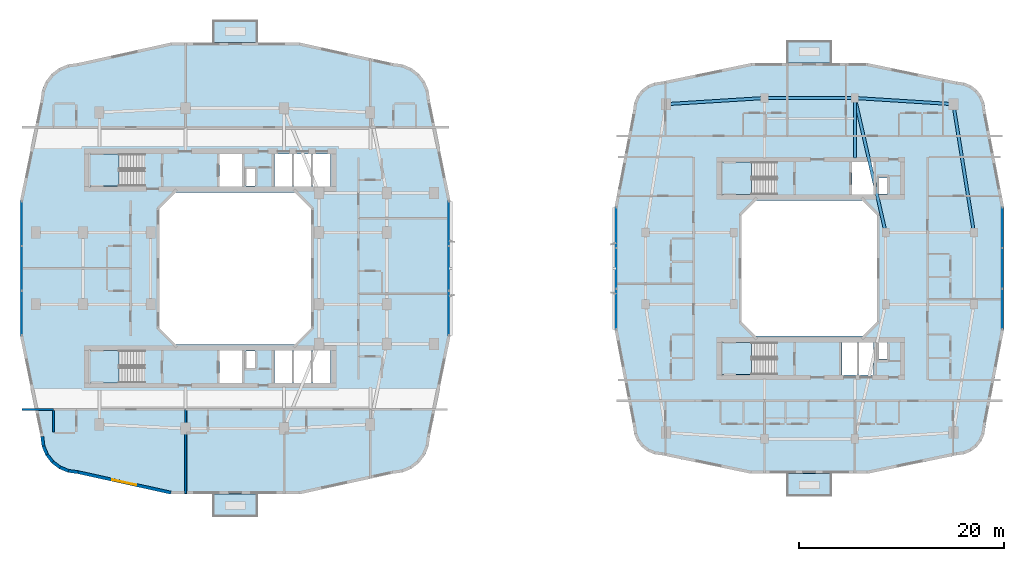
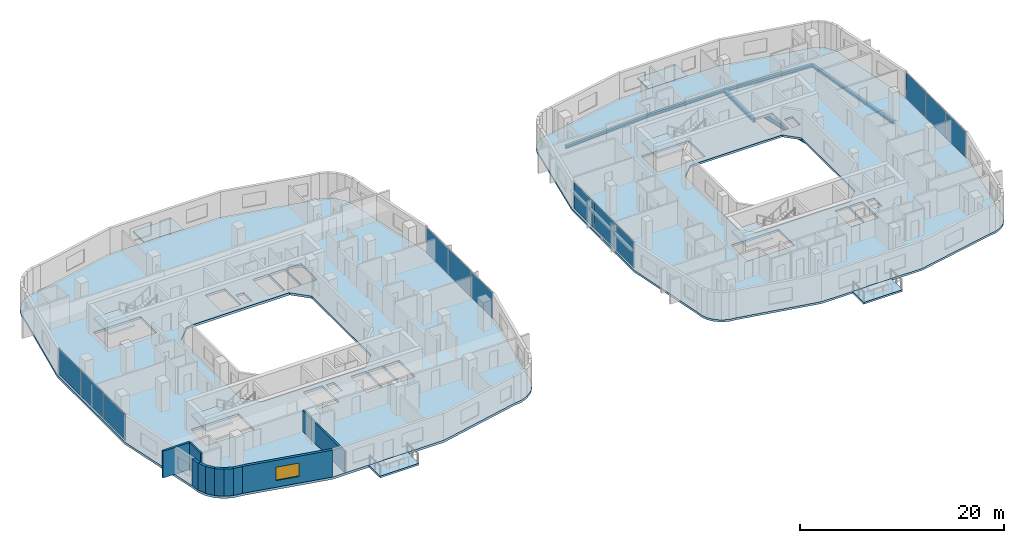
# One storey, part 7 of 22: 12 plates, 10 slabs, 10 walls, 6 beams, 1 window, 1 opening, 8 elements without a shape of their own.
"""IFC4 building model written with IfcOpenShell, lengths in metres."""

from ifc_helpers import new_model, si_unit, derived_unit, direction, frame, frame_2d, origin, origin_2d, place, context, subcontext, project, spatial, polyline, rectangle, i_section, outline, extrude, material, layer, layer_set, material_profile, profile_set, type_object, element, fill, aggregate, save


model = new_model("IFC4")

# Units and contexts
model_context = context("Model", 3, precision=1e-05, world=origin(), true_north=direction((0.0, 1.0)))
body_context = subcontext(model_context, "Body", "Model", "MODEL_VIEW")
ifc_project = project(units=[si_unit("LENGTHUNIT", "METRE"), si_unit("AREAUNIT", "SQUARE_METRE"), si_unit("VOLUMEUNIT", "CUBIC_METRE"), si_unit("PLANEANGLEUNIT", "RADIAN"), si_unit("MASSUNIT", "GRAM", prefix="KILO"), derived_unit("THERMALTRANSMITTANCEUNIT", [(si_unit("POWERUNIT", "WATT"), 1), (si_unit("LENGTHUNIT", "METRE"), -2), (si_unit("THERMODYNAMICTEMPERATUREUNIT", "KELVIN"), -1)])], contexts=[model_context])

# Site, building, storey
site_placement = place(None, origin())
site = spatial("IfcSite", under=ifc_project, at=site_placement, CompositionType="ELEMENT")
building_placement = place(site_placement, origin())
building = spatial("IfcBuilding", under=site, at=building_placement, Name="Kivonza Crest Hotel", CompositionType="ELEMENT")
storey_placement = place(building_placement, frame((0.0, 0.0, 59.0)))
storey = spatial("IfcBuildingStorey", under=building, at=storey_placement, Name="L15", CompositionType="ELEMENT", Elevation=59.0)

# Beams
ifc_material_1 = material(Name="Steel S355", Category="steel")
ifc_material_profile_1 = material_profile(ifc_material_1, i_section(OverallWidth=0.300048828125, OverallDepth=0.360107421875, WebThickness=0.012451171875, FlangeThickness=0.0224609375, FilletRadius=0.027099609375, at=origin_2d()), Name="HEB 360")
ifc_profile_set_1 = profile_set([ifc_material_profile_1], Name="Steel S355")
beam_type_1 = type_object("IfcBeamType", Name="BM-HEB360", PredefinedType="SPANDREL", material=ifc_profile_set_1)
beam_1_placement = place(storey_placement, frame((93.0, 28.5, -0.429931640625), z_axis=(-0.157990501107, 0.987440631917, 0.0), x_axis=(-0.987440631917, -0.157990501107, 0.0)))
element("IfcBeam", 1, at=beam_1_placement, inside=storey, type_object=beam_type_1, Name="Companion Tower T2 L15 perimeter spandrel E2-NE", PredefinedType="SPANDREL", context=body_context, shape_type="SweptSolid", body=[
    extrude(i_section(OverallWidth=0.300048828125, OverallDepth=0.360107421875, WebThickness=0.012451171875, FlangeThickness=0.0224609375, FilletRadius=0.027099609375, at=origin_2d()), origin(), (0.0, 0.0, 1.0), 12.658935546875),
])
beam_2_placement = place(storey_placement, frame((91.0, 41.0, -0.429931640625), z_axis=(-0.998051985873, 0.062387767186, 0.0), x_axis=(-0.062387767186, -0.998051985873, 0.0)))
element("IfcBeam", 2, at=beam_2_placement, inside=storey, type_object=beam_type_1, Name="Companion Tower T2 L15 perimeter spandrel NE-N2", PredefinedType="SPANDREL", context=body_context, shape_type="SweptSolid", body=[
    extrude(i_section(OverallWidth=0.300048828125, OverallDepth=0.360107421875, WebThickness=0.012451171875, FlangeThickness=0.0224609375, FilletRadius=0.027099609375, at=origin_2d()), origin(), (0.0, 0.0, 1.0), 9.618896484375),
])
beam_3_placement = place(storey_placement, frame((81.39990234375, 41.60009765625, -0.429931640625), z_axis=(-1.0, 0.0, 0.0), x_axis=(0.0, -1.0, 0.0)))
element("IfcBeam", 3, at=beam_3_placement, inside=storey, type_object=beam_type_1, Name="Companion Tower T2 L15 perimeter spandrel N2-N1", PredefinedType="SPANDREL", context=body_context, shape_type="SweptSolid", body=[
    extrude(i_section(OverallWidth=0.300048828125, OverallDepth=0.360107421875, WebThickness=0.012451171875, FlangeThickness=0.0224609375, FilletRadius=0.027099609375, at=origin_2d()), origin(), (0.0, 0.0, 1.0), 8.7998046875),
])
beam_4_placement = place(storey_placement, frame((72.60009765625, 41.60009765625, -0.429931640625), z_axis=(-0.998051985873, -0.062387767186, 0.0), x_axis=(0.062387767186, -0.998051985873, 0.0)))
element("IfcBeam", 4, at=beam_4_placement, inside=storey, type_object=beam_type_1, Name="Companion Tower T2 L15 perimeter spandrel N1-NW", PredefinedType="SPANDREL", context=body_context, shape_type="SweptSolid", body=[
    extrude(i_section(OverallWidth=0.300048828125, OverallDepth=0.360107421875, WebThickness=0.012451171875, FlangeThickness=0.0224609375, FilletRadius=0.027099609375, at=origin_2d()), origin(), (0.0, 0.0, 1.0), 9.618896484375),
])
ifc_material_profile_2 = material_profile(ifc_material_1, i_section(OverallWidth=0.300048828125, OverallDepth=0.5, WebThickness=0.014404296875, FlangeThickness=0.028076171875, FilletRadius=0.027099609375, at=origin_2d()), Name="HEB 500")
ifc_profile_set_2 = profile_set([ifc_material_profile_2], Name="Steel S355")
beam_type_2 = type_object("IfcBeamType", Name="BM-HEB500", PredefinedType="BEAM", material=ifc_profile_set_2)
beam_5_placement = place(storey_placement, frame((84.39990234375, 28.5, -0.5), z_axis=(-0.223227287589, 0.974766422317, 0.0), x_axis=(-0.974766422317, -0.223227287589, 0.0)))
element("IfcBeam", 5, at=beam_5_placement, inside=storey, type_object=beam_type_2, Name="Companion Tower T2 L15 girder WR2-N2", PredefinedType="BEAM", context=body_context, shape_type="SweptSolid", body=[
    extrude(i_section(OverallWidth=0.300048828125, OverallDepth=0.5, WebThickness=0.014404296875, FlangeThickness=0.028076171875, FilletRadius=0.027099609375, at=origin_2d()), origin(), (0.0, 0.0, 1.0), 13.439208984375),
])
beam_6_placement = place(storey_placement, frame((81.39990234375, 41.60009765625, -0.5), z_axis=(0.0, -1.0, 0.0), x_axis=(1.0, 0.0, 0.0)))
element("IfcBeam", 6, at=beam_6_placement, inside=storey, type_object=beam_type_2, Name="Companion T2 L15 radial core girder RN2", PredefinedType="BEAM", context=body_context, shape_type="SweptSolid", body=[
    extrude(i_section(OverallWidth=0.300048828125, OverallDepth=0.5, WebThickness=0.014404296875, FlangeThickness=0.028076171875, FilletRadius=0.027099609375, at=origin_2d()), origin(), (0.0, 0.0, 1.0), 5.85009765625),
])

# Curtain wall, plates
ifc_material_2 = material(Name="Anodised bronze aluminium and low-E double glazing", Category="aluminium")
ifc_layer_1 = layer(ifc_material_2, 0.179931640625)
ifc_layer_set_1 = layer_set([ifc_layer_1], Name="Anodised bronze aluminium and low-E double glazing")
curtain_wall_type_1 = type_object("IfcCurtainWallType", Name="CW-SYS-2", PredefinedType="NOTDEFINED", material=ifc_layer_set_1)
curtain_wall_1_placement = place(storey_placement, origin())
curtain_wall_1 = element("IfcCurtainWall", 7, at=curtain_wall_1_placement, inside=storey, type_object=curtain_wall_type_1, Name="L15 unitised curtain wall CW-T1-L15-17", PredefinedType="NOTDEFINED")
ifc_material_3 = material(Name="Solar-control low-E double glazing", Category="glass")
ifc_layer_2 = layer(ifc_material_3, 0.028076171875)
ifc_layer_set_2 = layer_set([ifc_layer_2], Name="Solar-control low-E double glazing")
plate_type = type_object("IfcPlateType", Name="CW-PNL-28", PredefinedType="CURTAIN_PANEL", material=ifc_layer_set_2)
plate_1_placement = place(storey_placement, frame((41.840087890625, 20.642822265625, 0.06494140625), z_axis=(0.0, 0.0, 1.0), x_axis=(0.0, 1.0, 0.0)))
plate_1 = element("IfcPlate", 8, at=plate_1_placement, type_object=plate_type, Name="CW-2 panel 1.1", PredefinedType="CURTAIN_PANEL", context=body_context, shape_type="SweptSolid", body=[
    extrude(rectangle(XDim=4.27587890625, YDim=0.028076171875, at=origin_2d()), origin(), (0.0, 0.0, 1.0), 3.090087890625),
])
plate_2_placement = place(storey_placement, frame((41.840087890625, 25.0, 0.06494140625), z_axis=(0.0, 0.0, 1.0), x_axis=(0.0, 1.0, 0.0)))
plate_2 = element("IfcPlate", 9, at=plate_2_placement, type_object=plate_type, Name="CW-2 panel 2.1", PredefinedType="CURTAIN_PANEL", context=body_context, shape_type="SweptSolid", body=[
    extrude(rectangle(XDim=4.308349609375, YDim=0.028076171875, at=origin_2d()), origin(), (0.0, 0.0, 1.0), 3.090087890625),
])
plate_3_placement = place(storey_placement, frame((41.840087890625, 29.357177734375, 0.06494140625), z_axis=(0.0, 0.0, 1.0), x_axis=(0.0, 1.0, 0.0)))
plate_3 = element("IfcPlate", 10, at=plate_3_placement, type_object=plate_type, Name="CW-2 panel 3.1", PredefinedType="CURTAIN_PANEL", context=body_context, shape_type="SweptSolid", body=[
    extrude(rectangle(XDim=4.27587890625, YDim=0.028076171875, at=origin_2d()), origin(), (0.0, 0.0, 1.0), 3.090087890625),
])
aggregate(curtain_wall_1, [plate_1, plate_2, plate_3])

curtain_wall_2_placement = place(storey_placement, origin())
curtain_wall_2 = element("IfcCurtainWall", 11, at=curtain_wall_2_placement, inside=storey, type_object=curtain_wall_type_1, Name="L15 unitised curtain wall CW-T1-L15-35", PredefinedType="NOTDEFINED")
plate_4_placement = place(storey_placement, frame((0.239990234375, 29.357177734375, 0.06494140625), z_axis=(0.0, 0.0, 1.0), x_axis=(0.0, -1.0, 0.0)))
plate_4 = element("IfcPlate", 12, at=plate_4_placement, type_object=plate_type, Name="CW-2 panel 1.1", PredefinedType="CURTAIN_PANEL", context=body_context, shape_type="SweptSolid", body=[
    extrude(rectangle(XDim=4.27587890625, YDim=0.028076171875, at=origin_2d()), origin(), (0.0, 0.0, 1.0), 3.090087890625),
])
plate_5_placement = place(storey_placement, frame((0.239990234375, 25.0, 0.06494140625), z_axis=(0.0, 0.0, 1.0), x_axis=(0.0, -1.0, 0.0)))
plate_5 = element("IfcPlate", 13, at=plate_5_placement, type_object=plate_type, Name="CW-2 panel 2.1", PredefinedType="CURTAIN_PANEL", context=body_context, shape_type="SweptSolid", body=[
    extrude(rectangle(XDim=4.308349609375, YDim=0.028076171875, at=origin_2d()), origin(), (0.0, 0.0, 1.0), 3.090087890625),
])
plate_6_placement = place(storey_placement, frame((0.239990234375, 20.642822265625, 0.06494140625), z_axis=(0.0, 0.0, 1.0), x_axis=(0.0, -1.0, 0.0)))
plate_6 = element("IfcPlate", 14, at=plate_6_placement, type_object=plate_type, Name="CW-2 panel 3.1", PredefinedType="CURTAIN_PANEL", context=body_context, shape_type="SweptSolid", body=[
    extrude(rectangle(XDim=4.27587890625, YDim=0.028076171875, at=origin_2d()), origin(), (0.0, 0.0, 1.0), 3.090087890625),
])
aggregate(curtain_wall_2, [plate_4, plate_5, plate_6])

ifc_layer_3 = layer(ifc_material_2, 0.179931640625)
ifc_layer_set_3 = layer_set([ifc_layer_3], Name="Anodised bronze aluminium and low-E double glazing")
curtain_wall_type_2 = type_object("IfcCurtainWallType", Name="CW-SYS-4", PredefinedType="NOTDEFINED", material=ifc_layer_set_3)
curtain_wall_3_placement = place(storey_placement, origin())
curtain_wall_3 = element("IfcCurtainWall", 15, at=curtain_wall_3_placement, inside=storey, type_object=curtain_wall_type_2, Name="L15 unitised curtain wall CW-T2-L15-17", PredefinedType="NOTDEFINED")
plate_7_placement = place(storey_placement, frame((95.760009765625, 21.04296875, 0.06494140625), z_axis=(0.0, 0.0, 1.0), x_axis=(0.0, 1.0, 0.0)))
plate_7 = element("IfcPlate", 16, at=plate_7_placement, type_object=plate_type, Name="CW-4 panel 1.1", PredefinedType="CURTAIN_PANEL", context=body_context, shape_type="SweptSolid", body=[
    extrude(rectangle(XDim=3.875732421875, YDim=0.028076171875, at=origin_2d()), origin(), (0.0, 0.0, 1.0), 3.1201171875),
])
plate_8_placement = place(storey_placement, frame((95.760009765625, 25.0, 0.06494140625), z_axis=(0.0, 0.0, 1.0), x_axis=(0.0, 1.0, 0.0)))
plate_8 = element("IfcPlate", 17, at=plate_8_placement, type_object=plate_type, Name="CW-4 panel 2.1", PredefinedType="CURTAIN_PANEL", context=body_context, shape_type="SweptSolid", body=[
    extrude(rectangle(XDim=3.908447265625, YDim=0.028076171875, at=origin_2d()), origin(), (0.0, 0.0, 1.0), 3.1201171875),
])
plate_9_placement = place(storey_placement, frame((95.760009765625, 28.95703125, 0.06494140625), z_axis=(0.0, 0.0, 1.0), x_axis=(0.0, 1.0, 0.0)))
plate_9 = element("IfcPlate", 18, at=plate_9_placement, type_object=plate_type, Name="CW-4 panel 3.1", PredefinedType="CURTAIN_PANEL", context=body_context, shape_type="SweptSolid", body=[
    extrude(rectangle(XDim=3.875732421875, YDim=0.028076171875, at=origin_2d()), origin(), (0.0, 0.0, 1.0), 3.1201171875),
])
aggregate(curtain_wall_3, [plate_7, plate_8, plate_9])

curtain_wall_4_placement = place(storey_placement, origin())
curtain_wall_4 = element("IfcCurtainWall", 19, at=curtain_wall_4_placement, inside=storey, type_object=curtain_wall_type_2, Name="L15 unitised curtain wall CW-T2-L15-35", PredefinedType="NOTDEFINED")
plate_10_placement = place(storey_placement, frame((58.159912109375, 28.95703125, 0.06494140625), z_axis=(0.0, 0.0, 1.0), x_axis=(0.0, -1.0, 0.0)))
plate_10 = element("IfcPlate", 20, at=plate_10_placement, type_object=plate_type, Name="CW-4 panel 1.1", PredefinedType="CURTAIN_PANEL", context=body_context, shape_type="SweptSolid", body=[
    extrude(rectangle(XDim=3.875732421875, YDim=0.028076171875, at=origin_2d()), origin(), (0.0, 0.0, 1.0), 3.1201171875),
])
plate_11_placement = place(storey_placement, frame((58.159912109375, 25.0, 0.06494140625), z_axis=(0.0, 0.0, 1.0), x_axis=(0.0, -1.0, 0.0)))
plate_11 = element("IfcPlate", 21, at=plate_11_placement, type_object=plate_type, Name="CW-4 panel 2.1", PredefinedType="CURTAIN_PANEL", context=body_context, shape_type="SweptSolid", body=[
    extrude(rectangle(XDim=3.908447265625, YDim=0.028076171875, at=origin_2d()), origin(), (0.0, 0.0, 1.0), 3.1201171875),
])
plate_12_placement = place(storey_placement, frame((58.159912109375, 21.04296875, 0.06494140625), z_axis=(0.0, 0.0, 1.0), x_axis=(0.0, -1.0, 0.0)))
plate_12 = element("IfcPlate", 22, at=plate_12_placement, type_object=plate_type, Name="CW-4 panel 3.1", PredefinedType="CURTAIN_PANEL", context=body_context, shape_type="SweptSolid", body=[
    extrude(rectangle(XDim=3.875732421875, YDim=0.028076171875, at=origin_2d()), origin(), (0.0, 0.0, 1.0), 3.1201171875),
])
aggregate(curtain_wall_4, [plate_10, plate_11, plate_12])

# Slab
ifc_material_4 = material(Name="Concrete C40/50", Category="concrete")
ifc_layer_4 = layer(ifc_material_4, 0.280029296875)
ifc_layer_set_4 = layer_set([ifc_layer_4], Name="Concrete C40/50")
slab_type_1 = type_object("IfcSlabType", Name="SL-HTL-280", PredefinedType="FLOOR", material=ifc_layer_set_4)
slab_1_placement = place(storey_placement, frame((0.0, 0.0, -0.280029296875)))
element("IfcSlab", 23, at=slab_1_placement, inside=storey, type_object=slab_type_1, Name="Tower T1 L15 floor slab", PredefinedType="FLOOR", context=body_context, shape_type="SweptSolid", body=[
    extrude(outline(polyline([(2.080078125, 8.60009765625), (2.202880859375, 7.66796875), (2.56201171875, 6.800048828125), (3.134033203125, 6.053955078125), (3.8798828125, 5.48193359375), (4.748046875, 5.123046875), (5.679931640625, 5.0), (14.751953125, 3.0), (27.327880859375, 3.0), (36.39990234375, 5.0), (37.33203125, 5.123046875), (38.199951171875, 5.48193359375), (38.946044921875, 6.053955078125), (39.51806640625, 6.800048828125), (39.876953125, 7.66796875), (40.0, 8.60009765625), (42.0, 18.39990234375), (42.0, 31.60009765625), (40.0, 41.39990234375), (39.876953125, 42.33203125), (39.51806640625, 43.199951171875), (38.946044921875, 43.946044921875), (38.199951171875, 44.51806640625), (37.33203125, 44.876953125), (36.39990234375, 45.0), (27.327880859375, 47.0), (14.751953125, 47.0), (5.679931640625, 45.0), (4.748046875, 44.876953125), (3.8798828125, 44.51806640625), (3.134033203125, 43.946044921875), (2.56201171875, 43.199951171875), (2.202880859375, 42.33203125), (2.080078125, 41.39990234375), (0.080078125, 31.60009765625), (0.080078125, 18.39990234375), (2.080078125, 8.60009765625)]), holes=[polyline([(15.239990234375, 17.60009765625), (26.840087890625, 17.60009765625), (28.43994140625, 19.199951171875), (28.43994140625, 30.800048828125), (26.840087890625, 32.39990234375), (15.239990234375, 32.39990234375), (13.639892578125, 30.800048828125), (13.639892578125, 19.199951171875), (15.239990234375, 17.60009765625)]), polyline([(6.800048828125, 33.02001953125), (12.159912109375, 33.02001953125), (12.159912109375, 36.159912109375), (6.800048828125, 36.159912109375), (6.800048828125, 33.02001953125)]), polyline([(6.800048828125, 13.860107421875), (12.159912109375, 13.860107421875), (12.159912109375, 17.0), (6.800048828125, 17.0), (6.800048828125, 13.860107421875)]), polyline([(22.080078125, 33.0400390625), (22.969970703125, 33.0400390625), (22.969970703125, 34.679931640625), (22.080078125, 34.679931640625), (22.080078125, 33.0400390625)]), polyline([(22.080078125, 15.320068359375), (22.969970703125, 15.320068359375), (22.969970703125, 16.9599609375), (22.080078125, 16.9599609375), (22.080078125, 15.320068359375)]), polyline([(19.5, 33.0), (21.699951171875, 33.0), (21.699951171875, 36.159912109375), (19.5, 36.159912109375), (19.5, 33.0)]), polyline([(24.860107421875, 33.0), (26.60693359375, 33.0), (26.60693359375, 36.159912109375), (24.860107421875, 36.159912109375), (24.860107421875, 33.0)]), polyline([(26.72705078125, 33.0), (28.472900390625, 33.0), (28.472900390625, 36.159912109375), (26.72705078125, 36.159912109375), (26.72705078125, 33.0)]), polyline([(28.593017578125, 33.0), (30.340087890625, 33.0), (30.340087890625, 36.159912109375), (28.593017578125, 36.159912109375), (28.593017578125, 33.0)]), polyline([(19.5, 13.840087890625), (21.699951171875, 13.840087890625), (21.699951171875, 17.0), (19.5, 17.0), (19.5, 13.840087890625)]), polyline([(24.860107421875, 13.840087890625), (26.60693359375, 13.840087890625), (26.60693359375, 17.0), (24.860107421875, 17.0), (24.860107421875, 13.840087890625)]), polyline([(26.72705078125, 13.840087890625), (28.472900390625, 13.840087890625), (28.472900390625, 17.0), (26.72705078125, 17.0), (26.72705078125, 13.840087890625)]), polyline([(28.593017578125, 13.840087890625), (30.340087890625, 13.840087890625), (30.340087890625, 17.0), (28.593017578125, 17.0), (28.593017578125, 13.840087890625)])]), origin(), (0.0, 0.0, 1.0), 0.280029296875),
])

# Stair, slab
stair_type = type_object("IfcStairType", Name="ST-DL-20R", PredefinedType="HALF_TURN_STAIR", material=ifc_material_4)
stair_1_placement = place(storey_placement, origin())
stair_1 = element("IfcStair", 24, at=stair_1_placement, inside=storey, type_object=stair_type, Name="L15 Protected Exit Stair ST-T1-N", PredefinedType="HALF_TURN_STAIR")
ifc_layer_5 = layer(ifc_material_4, 0.199951171875)
ifc_layer_set_5 = layer_set([ifc_layer_5], Name="Concrete C40/50")
slab_type_2 = type_object("IfcSlabType", Name="SL-LAND-200", PredefinedType="LANDING", material=ifc_layer_set_5)
slab_2_placement = place(storey_placement, frame((0.0, 0.0, 1.550048828125)))
slab_2 = element("IfcSlab", 25, at=slab_2_placement, type_object=slab_type_2, Name="ST-T1-N landing 1", PredefinedType="LANDING", context=body_context, shape_type="SweptSolid", body=[
    extrude(outline(polyline([(9.719970703125, 36.159912109375), (6.800048828125, 36.159912109375), (6.800048828125, 33.02001953125), (9.719970703125, 33.02001953125), (9.719970703125, 36.159912109375)])), origin(), (0.0, 0.0, 1.0), 0.199951171875),
])
aggregate(stair_1, [slab_2])

stair_2_placement = place(storey_placement, origin())
stair_2 = element("IfcStair", 26, at=stair_2_placement, inside=storey, type_object=stair_type, Name="L15 Protected Exit Stair ST-T1-S", PredefinedType="HALF_TURN_STAIR")
slab_3_placement = place(storey_placement, frame((0.0, 0.0, 1.550048828125)))
slab_3 = element("IfcSlab", 27, at=slab_3_placement, type_object=slab_type_2, Name="ST-T1-S landing 1", PredefinedType="LANDING", context=body_context, shape_type="SweptSolid", body=[
    extrude(outline(polyline([(9.719970703125, 17.0), (6.800048828125, 17.0), (6.800048828125, 13.860107421875), (9.719970703125, 13.860107421875), (9.719970703125, 17.0)])), origin(), (0.0, 0.0, 1.0), 0.199951171875),
])
aggregate(stair_2, [slab_3])

stair_3_placement = place(storey_placement, origin())
stair_3 = element("IfcStair", 28, at=stair_3_placement, inside=storey, type_object=stair_type, Name="L15 Protected Exit Stair ST-T2-N", PredefinedType="HALF_TURN_STAIR")
slab_4_placement = place(storey_placement, frame((0.0, 0.0, 1.550048828125)))
slab_4 = element("IfcSlab", 29, at=slab_4_placement, type_object=slab_type_2, Name="ST-T2-N landing 1", PredefinedType="LANDING", context=body_context, shape_type="SweptSolid", body=[
    extrude(outline(polyline([(71.320068359375, 35.360107421875), (68.39990234375, 35.360107421875), (68.39990234375, 32.219970703125), (71.320068359375, 32.219970703125), (71.320068359375, 35.360107421875)])), origin(), (0.0, 0.0, 1.0), 0.199951171875),
])
aggregate(stair_3, [slab_4])

stair_4_placement = place(storey_placement, origin())
stair_4 = element("IfcStair", 30, at=stair_4_placement, inside=storey, type_object=stair_type, Name="L15 Protected Exit Stair ST-T2-S", PredefinedType="HALF_TURN_STAIR")
slab_5_placement = place(storey_placement, frame((0.0, 0.0, 1.550048828125)))
slab_5 = element("IfcSlab", 31, at=slab_5_placement, type_object=slab_type_2, Name="ST-T2-S landing 1", PredefinedType="LANDING", context=body_context, shape_type="SweptSolid", body=[
    extrude(outline(polyline([(71.320068359375, 17.800048828125), (68.39990234375, 17.800048828125), (68.39990234375, 14.659912109375), (71.320068359375, 14.659912109375), (71.320068359375, 17.800048828125)])), origin(), (0.0, 0.0, 1.0), 0.199951171875),
])
aggregate(stair_4, [slab_5])

# Slabs
ifc_layer_6 = layer(ifc_material_4, 0.25)
ifc_layer_set_6 = layer_set([ifc_layer_6], Name="Concrete C40/50")
slab_type_3 = type_object("IfcSlabType", Name="SL-RES-250", PredefinedType="FLOOR", material=ifc_layer_set_6)
slab_6_placement = place(storey_placement, frame((0.0, 0.0, -0.25)))
element("IfcSlab", 32, at=slab_6_placement, inside=storey, type_object=slab_type_3, Name="Companion Tower T2 L15 floor slab", PredefinedType="FLOOR", context=body_context, shape_type="SweptSolid", body=[
    extrude(outline(polyline([(59.800048828125, 9.60009765625), (59.89501953125, 8.875), (60.175048828125, 8.199951171875), (60.6201171875, 7.6201171875), (61.199951171875, 7.175048828125), (61.875, 6.89501953125), (62.60009765625, 6.800048828125), (71.27197265625, 5.0), (82.64794921875, 5.0), (91.320068359375, 6.800048828125), (92.044921875, 6.89501953125), (92.719970703125, 7.175048828125), (93.300048828125, 7.6201171875), (93.7451171875, 8.199951171875), (94.02490234375, 8.875), (94.1201171875, 9.60009765625), (95.919921875, 19.0), (95.919921875, 31.0), (94.1201171875, 40.39990234375), (94.02490234375, 41.125), (93.7451171875, 41.800048828125), (93.300048828125, 42.3798828125), (92.719970703125, 42.824951171875), (92.044921875, 43.10498046875), (91.320068359375, 43.199951171875), (82.64794921875, 45.0), (71.27197265625, 45.0), (62.60009765625, 43.199951171875), (61.875, 43.10498046875), (61.199951171875, 42.824951171875), (60.6201171875, 42.3798828125), (60.175048828125, 41.800048828125), (59.89501953125, 41.125), (59.800048828125, 40.39990234375), (58.0, 31.0), (58.0, 19.0), (59.800048828125, 9.60009765625)]), holes=[polyline([(71.760009765625, 18.39990234375), (82.159912109375, 18.39990234375), (83.56005859375, 19.800048828125), (83.56005859375, 30.199951171875), (82.159912109375, 31.60009765625), (71.760009765625, 31.60009765625), (70.360107421875, 30.199951171875), (70.360107421875, 19.800048828125), (71.760009765625, 18.39990234375)]), polyline([(68.39990234375, 32.219970703125), (73.760009765625, 32.219970703125), (73.760009765625, 35.360107421875), (68.39990234375, 35.360107421875), (68.39990234375, 32.219970703125)]), polyline([(68.39990234375, 14.659912109375), (73.760009765625, 14.659912109375), (73.760009765625, 17.800048828125), (68.39990234375, 17.800048828125), (68.39990234375, 14.659912109375)]), polyline([(83.679931640625, 32.239990234375), (84.570068359375, 32.239990234375), (84.570068359375, 33.820068359375), (83.679931640625, 33.820068359375), (83.679931640625, 32.239990234375)]), polyline([(83.679931640625, 16.179931640625), (84.570068359375, 16.179931640625), (84.570068359375, 17.760009765625), (83.679931640625, 17.760009765625), (83.679931640625, 16.179931640625)]), polyline([(81.10009765625, 32.199951171875), (83.199951171875, 32.199951171875), (83.199951171875, 35.360107421875), (81.10009765625, 35.360107421875), (81.10009765625, 32.199951171875)]), polyline([(80.159912109375, 14.639892578125), (81.639892578125, 14.639892578125), (81.639892578125, 17.800048828125), (80.159912109375, 17.800048828125), (80.159912109375, 14.639892578125)]), polyline([(81.760009765625, 14.639892578125), (83.239990234375, 14.639892578125), (83.239990234375, 17.800048828125), (81.760009765625, 17.800048828125), (81.760009765625, 14.639892578125)])]), origin(), (0.0, 0.0, 1.0), 0.25),
])
ifc_layer_7 = layer(ifc_material_4, 0.219970703125)
ifc_layer_set_7 = layer_set([ifc_layer_7], Name="Concrete C40/50")
slab_type_4 = type_object("IfcSlabType", Name="SL-SKYG-220", PredefinedType="FLOOR", material=ifc_layer_set_7)
slab_7_placement = place(storey_placement, frame((0.0, 0.0, -0.219970703125)))
element("IfcSlab", 33, at=slab_7_placement, inside=storey, type_object=slab_type_4, Name="Tower T1 L15 SW planted sky-garden bridge", PredefinedType="FLOOR", context=body_context, shape_type="SweptSolid", body=[
    extrude(outline(polyline([(18.840087890625, 0.800048828125), (23.239990234375, 0.800048828125), (23.239990234375, 3.0), (18.840087890625, 3.0), (18.840087890625, 0.800048828125)])), origin(), (0.0, 0.0, 1.0), 0.219970703125),
])
slab_8_placement = place(storey_placement, frame((0.0, 0.0, -0.219970703125)))
element("IfcSlab", 34, at=slab_8_placement, inside=storey, type_object=slab_type_4, Name="Tower T1 L15 NE planted sky-garden bridge", PredefinedType="FLOOR", context=body_context, shape_type="SweptSolid", body=[
    extrude(outline(polyline([(18.840087890625, 47.0), (23.239990234375, 47.0), (23.239990234375, 49.199951171875), (18.840087890625, 49.199951171875), (18.840087890625, 47.0)])), origin(), (0.0, 0.0, 1.0), 0.219970703125),
])
slab_9_placement = place(storey_placement, frame((0.0, 0.0, -0.219970703125)))
element("IfcSlab", 35, at=slab_9_placement, inside=storey, type_object=slab_type_4, Name="Companion Tower T2 L15 SW planted sky-garden bridge", PredefinedType="FLOOR", context=body_context, shape_type="SweptSolid", body=[
    extrude(outline(polyline([(74.760009765625, 2.800048828125), (79.159912109375, 2.800048828125), (79.159912109375, 5.0), (74.760009765625, 5.0), (74.760009765625, 2.800048828125)])), origin(), (0.0, 0.0, 1.0), 0.219970703125),
])
slab_10_placement = place(storey_placement, frame((0.0, 0.0, -0.219970703125)))
element("IfcSlab", 36, at=slab_10_placement, inside=storey, type_object=slab_type_4, Name="Companion Tower T2 L15 NE planted sky-garden bridge", PredefinedType="FLOOR", context=body_context, shape_type="SweptSolid", body=[
    extrude(outline(polyline([(74.760009765625, 45.0), (79.159912109375, 45.0), (79.159912109375, 47.199951171875), (74.760009765625, 47.199951171875), (74.760009765625, 45.0)])), origin(), (0.0, 0.0, 1.0), 0.219970703125),
])

# Walls
ifc_material_5 = material(Name="High-density acoustic masonry inter-tenancy wall", Category="masonry")
ifc_layer_8 = layer(ifc_material_5, 0.179931640625)
ifc_layer_set_8 = layer_set([ifc_layer_8], Name="High-density acoustic masonry inter-tenancy wall")
wall_type_1 = type_object("IfcWallType", Name="WL-ACOU-180", PredefinedType="SOLIDWALL", material=ifc_layer_set_8)
wall_1_placement = place(storey_placement, frame((16.199951171875, 3.06005859375, 0.0), z_axis=(0.0, 0.0, 1.0), x_axis=(0.0, 1.0, 0.0)))
element("IfcWall", 37, at=wall_1_placement, inside=storey, type_object=wall_type_1, Name="L15 interior partition WA-L15-T1S-DIV1", PredefinedType="SOLIDWALL", context=body_context, shape_type="SweptSolid", body=[
    extrude(rectangle(XDim=8.18994140625, YDim=0.179931640625, at=frame_2d((4.094970703125, 0.0))), origin(), (0.0, 0.0, 1.0), 2.4951171875),
])
ifc_material_6 = material(Name="Autoclaved aerated concrete blockwork", Category="masonry")
ifc_layer_9 = layer(ifc_material_6, 0.219970703125)
ifc_layer_set_9 = layer_set([ifc_layer_9], Name="Autoclaved aerated concrete blockwork")
wall_type_2 = type_object("IfcWallType", Name="WL-ACOU-220", PredefinedType="SOLIDWALL", material=ifc_layer_set_9)
wall_2_placement = place(storey_placement, frame((0.239990234375, 11.25, 0.0), z_axis=(0.0, 0.0, 1.0), x_axis=(1.0, 0.0, 0.0)))
element("IfcWall", 38, at=wall_2_placement, inside=storey, type_object=wall_type_2, Name="L15 interior partition WA-L15-S03-XCORR", PredefinedType="SOLIDWALL", context=body_context, shape_type="SweptSolid", body=[
    extrude(rectangle(XDim=3.110107421875, YDim=0.219970703125, at=frame_2d((1.55517578125, 0.0))), origin(), (0.0, 0.0, 1.0), 3.219970703125),
])
ifc_material_7 = material(Name="Precast concrete C40/50", Category="concrete")
ifc_layer_10 = layer(ifc_material_7, 0.300048828125)
ifc_layer_set_10 = layer_set([ifc_layer_10], Name="Precast concrete C40/50")
wall_type_3 = type_object("IfcWallType", Name="WL-EXT-300", PredefinedType="STANDARD", material=ifc_layer_set_10)
wall_3_placement = place(storey_placement, frame((2.22802734375, 8.6279296875, 0.0), z_axis=(0.0, 0.0, 1.0), x_axis=(0.131174864804, -0.991359246108, 0.0)))
element("IfcWall", 39, at=wall_3_placement, inside=storey, type_object=wall_type_3, Name="L15 T1 exterior insulated wall 1", PredefinedType="STANDARD", context=body_context, shape_type="SweptSolid", body=[
    extrude(rectangle(XDim=0.93798828125, YDim=0.300048828125, at=frame_2d((0.468994140625, 0.0))), origin(), (0.0, 0.0, 1.0), 3.219970703125),
])
wall_4_placement = place(storey_placement, frame((2.33203125, 7.748046875, 0.0), z_axis=(0.0, 0.0, 1.0), x_axis=(0.382344263057, -0.924019948111, 0.0)))
element("IfcWall", 40, at=wall_4_placement, inside=storey, type_object=wall_type_3, Name="L15 T1 exterior insulated wall 2", PredefinedType="STANDARD", context=body_context, shape_type="SweptSolid", body=[
    extrude(rectangle(XDim=0.95458984375, YDim=0.300048828125, at=frame_2d((0.477294921875, 0.0))), origin(), (0.0, 0.0, 1.0), 3.219970703125),
])
for number, where, z_axis, x_axis, name in (
    (41, (2.666015625, 6.910888671875, 0.0), (0.0, 0.0, 1.0), (0.608474481025, -0.793573440799, 0.0), "L15 T1 exterior insulated wall 3"),
    (42, (3.205078125, 6.18798828125, 0.0), (0.0, 0.0, 1.0), (0.793573440799, -0.608474481025, 0.0), "L15 T1 exterior insulated wall 4"),
):
    element("IfcWall", number, at=place(storey_placement, frame(where, z_axis=z_axis, x_axis=x_axis)), inside=storey, type_object=wall_type_3, Name=name, PredefinedType="STANDARD", context=body_context, shape_type="SweptSolid", body=[
        extrude(rectangle(XDim=0.954833984375, YDim=0.300048828125, at=frame_2d((0.4775390625, 0.0))), origin(), (0.0, 0.0, 1.0), 3.219970703125),
    ])
wall_5_placement = place(storey_placement, frame((3.9140625, 5.631103515625, 0.0), z_axis=(0.0, 0.0, 1.0), x_axis=(0.923982547689, -0.382434636986, 0.0)))
element("IfcWall", 43, at=wall_5_placement, inside=storey, type_object=wall_type_3, Name="L15 T1 exterior insulated wall 5", PredefinedType="STANDARD", context=body_context, shape_type="SweptSolid", body=[
    extrude(rectangle(XDim=0.954345703125, YDim=0.300048828125, at=frame_2d((0.47705078125, 0.0))), origin(), (0.0, 0.0, 1.0), 3.219970703125),
])
wall_6_placement = place(storey_placement, frame((4.742919921875, 5.27490234375, 0.0), z_axis=(0.0, 0.0, 1.0), x_axis=(0.99145856342, -0.130422072598, 0.0)))
element("IfcWall", 44, at=wall_6_placement, inside=storey, type_object=wall_type_3, Name="L15 T1 exterior insulated wall 6", PredefinedType="STANDARD", context=body_context, shape_type="SweptSolid", body=[
    extrude(rectangle(XDim=0.973388671875, YDim=0.300048828125, at=frame_2d((0.48681640625, 0.0))), origin(), (0.0, 0.0, 1.0), 3.219970703125),
])

# Wall, opening, window
wall_7_placement = place(storey_placement, frame((5.7041015625, 5.14794921875, 0.0), z_axis=(0.0, 0.0, 1.0), x_axis=(0.976539545934, -0.215338141596, 0.0)))
wall_7 = element("IfcWall", 45, at=wall_7_placement, inside=storey, type_object=wall_type_3, Name="L15 T1 exterior insulated wall 7", PredefinedType="STANDARD", context=body_context, shape_type="SweptSolid", body=[
    extrude(rectangle(XDim=9.28759765625, YDim=0.300048828125, at=frame_2d((4.643798828125, 0.0))), origin(), (0.0, 0.0, 1.0), 3.219970703125),
])
opening_placement = place(wall_7_placement, frame((3.444091796875, 0.0, 0.800048828125)))
opening = element("IfcOpeningElement", 46, at=opening_placement, cuts=wall_7, Name="Opening WN-05", PredefinedType="OPENING", context=body_context, shape_type="SweptSolid", body=[
    extrude(rectangle(XDim=2.39990234375, YDim=1.60009765625, at=frame_2d((1.199951171875, 0.800048828125))), frame((0.0, 0.16015625, 0.0), z_axis=(0.0, -1.0, 0.0), x_axis=(1.0, 0.0, 0.0)), (0.0, 0.0, 1.0), 0.320068359375),
])
ifc_material_8 = material(Name="Thermally broken bronze aluminium and low-E double glazing", Category="aluminium")
window_type = type_object("IfcWindowType", Name="WN-240x160", PartitioningType="TRIPLE_PANEL_VERTICAL", PredefinedType="WINDOW", material=ifc_material_8)
window_placement = place(opening_placement, origin())
window = element("IfcWindow", 47, at=window_placement, inside=storey, type_object=window_type, Name="L15 T1 facade window 7", OverallHeight=1.60009765625, OverallWidth=2.39990234375, PartitioningType="SINGLE_PANEL", PredefinedType="WINDOW", context=body_context, shape_type="SweptSolid", body=[
    extrude(rectangle(XDim=2.39990234375, YDim=1.60009765625, at=frame_2d((1.199951171875, 0.800048828125))), frame((0.0, 0.030029296875, 0.0), z_axis=(0.0, -1.0, 0.0), x_axis=(1.0, 0.0, 0.0)), (0.0, 0.0, 1.0), 0.06005859375),
])
fill(opening, window)

# Wall
ifc_material_9 = material(Name="Moisture-resistant plumbing chase partition wall", Category="gypsum")
ifc_layer_11 = layer(ifc_material_9, 0.199951171875)
ifc_layer_set_11 = layer_set([ifc_layer_11], Name="Moisture-resistant plumbing chase partition wall")
wall_type_4 = type_object("IfcWallType", Name="WL-PLUMB-200", PredefinedType="PLUMBINGWALL", material=ifc_layer_set_11)
wall_8_placement = place(storey_placement, frame((3.35009765625, 9.050048828125, 0.0), z_axis=(0.0, 0.0, 1.0), x_axis=(0.0, 1.0, 0.0)))
element("IfcWall", 48, at=wall_8_placement, inside=storey, type_object=wall_type_4, Name="L15 interior partition WW-L15-S03-BVW", PredefinedType="PLUMBINGWALL", context=body_context, shape_type="SweptSolid", body=[
    extrude(rectangle(XDim=2.099853515625, YDim=0.199951171875, at=frame_2d((1.0498046875, 0.0))), origin(), (0.0, 0.0, 1.0), 3.219970703125),
])

save(model, "model.ifc")
